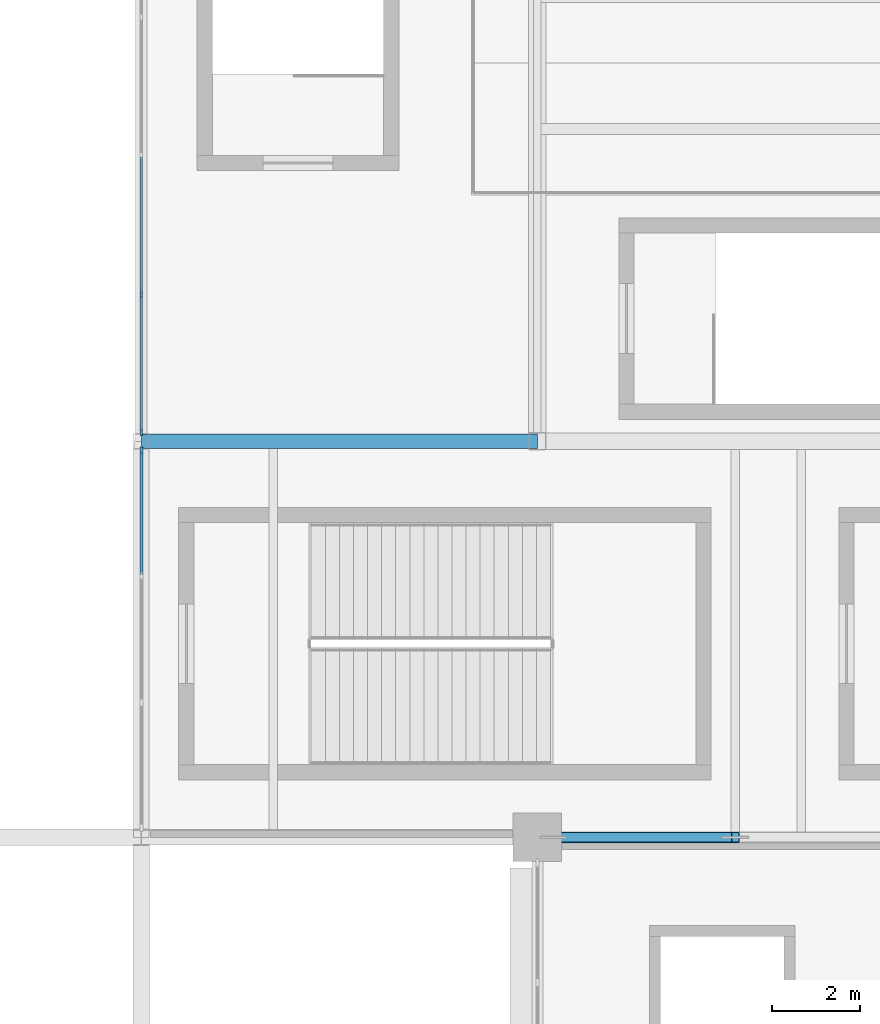
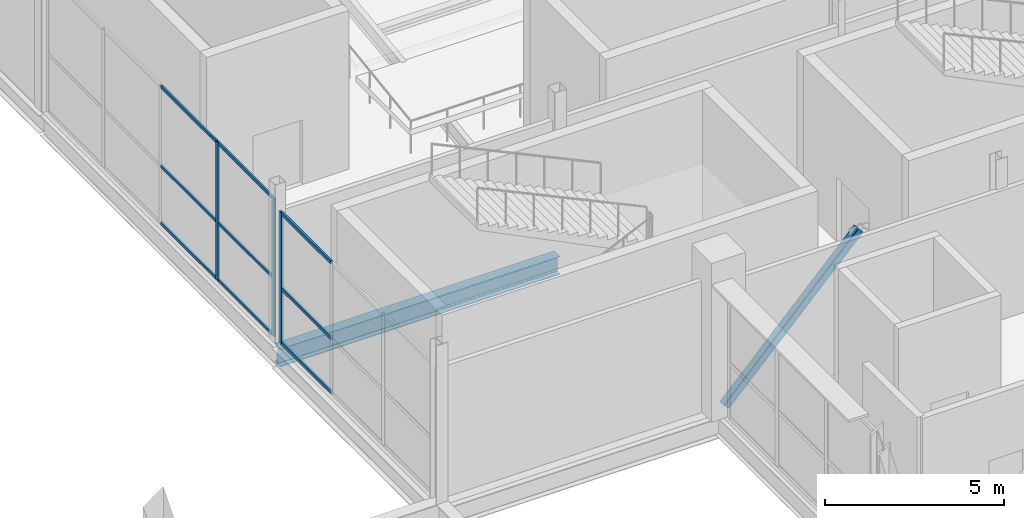
# One storey, part 56 of 119: 13 members, 1 beam, 2 elements without a shape of their own.
"""IFC4 building model written with IfcOpenShell, lengths in metres."""

from ifc_helpers import new_model, si_unit, direction, frame, origin, origin_2d, place, context, subcontext, project, spatial, rectangle, hollow_rectangle, i_section, extrude, material, layer, layer_set, material_profile, profile_set, type_object, element, aggregate, save


model = new_model("IFC4")

# Units and contexts
model_context = context("Model", 3, precision=1e-05, world=origin(), true_north=direction((0.0, 1.0)))
body_context = subcontext(model_context, "Body", "Model", "MODEL_VIEW")
ifc_project = project(units=[si_unit("LENGTHUNIT", "METRE"), si_unit("AREAUNIT", "SQUARE_METRE"), si_unit("VOLUMEUNIT", "CUBIC_METRE"), si_unit("PLANEANGLEUNIT", "RADIAN"), si_unit("MASSUNIT", "GRAM", prefix="KILO")], contexts=[model_context])

# Site, building, storey
site_placement = place(None, origin())
site = spatial("IfcSite", under=ifc_project, at=site_placement, CompositionType="ELEMENT")
building_placement = place(site_placement, origin())
building = spatial("IfcBuilding", under=site, at=building_placement, Name="Qamarlyn Nura Convention Centre", CompositionType="ELEMENT")
storey_placement = place(building_placement, frame((0.0, 0.0, 5.39990234375)))
storey = spatial("IfcBuildingStorey", under=building, at=storey_placement, Name="L01", CompositionType="ELEMENT", Elevation=5.39990234375)

# Beam
ifc_material_1 = material(Name="Steel ASTM A992", Category="steel")
ifc_material_profile_1 = material_profile(ifc_material_1, i_section(OverallWidth=0.323974609375, OverallDepth=0.611083984375, WebThickness=0.0126953125, FlangeThickness=0.01904296875, FilletRadius=0.01611328125, at=origin_2d()), Name="W610X155")
ifc_profile_set_1 = profile_set([ifc_material_profile_1], Name="Steel ASTM A992")
beam_type = type_object("IfcBeamType", Name="BM-GIRD-610", PredefinedType="BEAM", material=ifc_profile_set_1)
beam_placement = place(storey_placement, frame((144.0, 90.0, -0.54541015625), z_axis=(1.0, 0.0, 0.0), x_axis=(0.0, 1.0, 0.0)))
element("IfcBeam", 1, at=beam_placement, inside=storey, type_object=beam_type, Name="L01 girder L 12-13", PredefinedType="BEAM", context=body_context, shape_type="SweptSolid", body=[
    extrude(i_section(OverallWidth=0.323974609375, OverallDepth=0.611083984375, WebThickness=0.0126953125, FlangeThickness=0.01904296875, FilletRadius=0.01611328125, at=origin_2d()), origin(), (0.0, 0.0, 1.0), 9.0),
])

# Member
ifc_material_2 = material(Name="Steel ASTM A500 Grade C", Category="steel")
ifc_material_profile_2 = material_profile(ifc_material_2, hollow_rectangle(XDim=0.25, YDim=0.25, WallThickness=0.012451171875, InnerFilletRadius=0.012451171875, OuterFilletRadius=0.02490234375, at=origin_2d()), Name="HSS250X250X12.5")
ifc_profile_set_2 = profile_set([ifc_material_profile_2], Name="Steel ASTM A500 Grade C")
member_type_1 = type_object("IfcMemberType", Name="CBF-BRC-250", PredefinedType="BRACE", material=ifc_profile_set_2)
member_1_placement = place(storey_placement, frame((153.179931640625, 81.0, 0.0), z_axis=(0.692850446398, 0.0, 0.721081312284), x_axis=(0.0, 1.0, 0.0)))
element("IfcMember", 2, at=member_1_placement, inside=storey, type_object=member_type_1, Name="L01 SCBF chevron brace CBF-N1L", PredefinedType="BRACE", context=body_context, shape_type="SweptSolid", body=[
    extrude(hollow_rectangle(XDim=0.25, YDim=0.25, WallThickness=0.012451171875, InnerFilletRadius=0.012451171875, OuterFilletRadius=0.02490234375, at=origin_2d()), origin(), (0.0, 0.0, 1.0), 6.235107421875),
])

# Curtain wall, members
ifc_material_3 = material(Name="Double-silver low-E insulated glass", Category="glass")
ifc_layer_1 = layer(ifc_material_3, 0.179931640625, Name="CW-UNIT-84")
ifc_layer_set_1 = layer_set([ifc_layer_1], Name="Double-silver low-E insulated glass")
curtain_wall_type_1 = type_object("IfcCurtainWallType", Name="CW-UNIT-84", PredefinedType="NOTDEFINED", material=ifc_layer_set_1)
curtain_wall_1_placement = place(storey_placement, origin())
curtain_wall_1 = element("IfcCurtainWall", 3, at=curtain_wall_1_placement, inside=storey, type_object=curtain_wall_type_1, Name="L01 unitised curtain wall PLW-90-1", PredefinedType="NOTDEFINED")
ifc_material_4 = material(Name="Champagne-anodised marine aluminium", Category="aluminium")
ifc_material_profile_3 = material_profile(ifc_material_4, rectangle(XDim=0.06005859375, YDim=0.139892578125, at=origin_2d()), Name="ALU MULLION 60x140")
ifc_profile_set_3 = profile_set([ifc_material_profile_3], Name="Champagne-anodised marine aluminium")
member_type_2 = type_object("IfcMemberType", Name="CWM-140", PredefinedType="MULLION", material=ifc_profile_set_3)
member_2_placement = place(storey_placement, frame((144.0, 90.205078125, 0.0), z_axis=(0.0, 0.0, 1.0), x_axis=(-1.0, 0.0, 0.0)))
member_2 = element("IfcMember", 4, at=member_2_placement, type_object=member_type_2, Name="CW84 mullion 1", PredefinedType="MULLION", context=body_context, shape_type="SweptSolid", body=[
    extrude(rectangle(XDim=0.06005859375, YDim=0.139892578125, at=origin_2d()), origin(), (0.0, 0.0, 1.0), 4.701171875),
])
member_3_placement = place(storey_placement, frame((144.0, 93.331298828125, 0.0), z_axis=(0.0, 0.0, 1.0), x_axis=(-1.0, 0.0, 0.0)))
member_3 = element("IfcMember", 5, at=member_3_placement, type_object=member_type_2, Name="CW84 mullion 2", PredefinedType="MULLION", context=body_context, shape_type="SweptSolid", body=[
    extrude(rectangle(XDim=0.06005859375, YDim=0.139892578125, at=origin_2d()), origin(), (0.0, 0.0, 1.0), 4.701171875),
])

# Curtain wall, member
ifc_layer_2 = layer(ifc_material_3, 0.179931640625, Name="CW-UNIT-83")
ifc_layer_set_2 = layer_set([ifc_layer_2], Name="Double-silver low-E insulated glass")
curtain_wall_type_2 = type_object("IfcCurtainWallType", Name="CW-UNIT-83", PredefinedType="NOTDEFINED", material=ifc_layer_set_2)
curtain_wall_2_placement = place(storey_placement, origin())
curtain_wall_2 = element("IfcCurtainWall", 6, at=curtain_wall_2_placement, inside=storey, type_object=curtain_wall_type_2, Name="L01 unitised curtain wall PLW-81-1", PredefinedType="NOTDEFINED")
ifc_material_profile_4 = material_profile(ifc_material_4, rectangle(XDim=0.06494140625, YDim=0.159912109375, at=origin_2d()), Name="ALU MULLION 65x160")
ifc_profile_set_4 = profile_set([ifc_material_profile_4], Name="Champagne-anodised marine aluminium")
member_type_3 = type_object("IfcMemberType", Name="CWM-160", PredefinedType="MULLION", material=ifc_profile_set_4)
member_4_placement = place(storey_placement, frame((144.0, 89.79248046875, 0.0), z_axis=(0.0, 0.0, 1.0), x_axis=(-1.0, 0.0, 0.0)))
member_4 = element("IfcMember", 7, at=member_4_placement, type_object=member_type_3, Name="CW83 mullion 4", PredefinedType="MULLION", context=body_context, shape_type="SweptSolid", body=[
    extrude(rectangle(XDim=0.06494140625, YDim=0.159912109375, at=origin_2d()), origin(), (0.0, 0.0, 1.0), 4.47021484375),
])

# Member
ifc_material_profile_5 = material_profile(ifc_material_4, rectangle(XDim=0.06005859375, YDim=0.10009765625, at=origin_2d()), Name="ALU TRANSOM 60x100")
ifc_profile_set_5 = profile_set([ifc_material_profile_5], Name="Champagne-anodised marine aluminium")
member_type_4 = type_object("IfcMemberType", Name="CWT-100", PredefinedType="USERDEFINED", material=ifc_profile_set_5)
member_5_placement = place(storey_placement, frame((144.0, 90.235107421875, 0.030029296875), z_axis=(0.0, 1.0, 0.0), x_axis=(-1.0, 0.0, 0.0)))
member_5 = element("IfcMember", 8, at=member_5_placement, type_object=member_type_4, Name="CW84 transom 1.1", ObjectType="TRANSOM", PredefinedType="USERDEFINED", context=body_context, shape_type="SweptSolid", body=[
    extrude(rectangle(XDim=0.06005859375, YDim=0.10009765625, at=origin_2d()), origin(), (0.0, 0.0, 1.0), 3.066162109375),
])

member_6_placement = place(storey_placement, frame((144.0, 90.235107421875, 1.97412109375), z_axis=(0.0, 1.0, 0.0), x_axis=(-1.0, 0.0, 0.0)))
member_6 = element("IfcMember", 9, at=member_6_placement, type_object=member_type_4, Name="CW84 transom 1.2", ObjectType="TRANSOM", PredefinedType="USERDEFINED", context=body_context, shape_type="SweptSolid", body=[
    extrude(rectangle(XDim=0.06005859375, YDim=0.10009765625, at=origin_2d()), origin(), (0.0, 0.0, 1.0), 3.066162109375),
])

member_7_placement = place(storey_placement, frame((144.0, 90.235107421875, 4.671142578125), z_axis=(0.0, 1.0, 0.0), x_axis=(-1.0, 0.0, 0.0)))
member_7 = element("IfcMember", 10, at=member_7_placement, type_object=member_type_4, Name="CW84 transom 1.3", ObjectType="TRANSOM", PredefinedType="USERDEFINED", context=body_context, shape_type="SweptSolid", body=[
    extrude(rectangle(XDim=0.06005859375, YDim=0.10009765625, at=origin_2d()), origin(), (0.0, 0.0, 1.0), 3.066162109375),
])

member_8_placement = place(storey_placement, frame((144.0, 93.361328125, 0.030029296875), z_axis=(0.0, 1.0, 0.0), x_axis=(-1.0, 0.0, 0.0)))
member_8 = element("IfcMember", 11, at=member_8_placement, type_object=member_type_4, Name="CW84 transom 2.1", ObjectType="TRANSOM", PredefinedType="USERDEFINED", context=body_context, shape_type="SweptSolid", body=[
    extrude(rectangle(XDim=0.06005859375, YDim=0.10009765625, at=origin_2d()), origin(), (0.0, 0.0, 1.0), 3.09619140625),
])

member_9_placement = place(storey_placement, frame((144.0, 93.361328125, 1.97412109375), z_axis=(0.0, 1.0, 0.0), x_axis=(-1.0, 0.0, 0.0)))
member_9 = element("IfcMember", 12, at=member_9_placement, type_object=member_type_4, Name="CW84 transom 2.2", ObjectType="TRANSOM", PredefinedType="USERDEFINED", context=body_context, shape_type="SweptSolid", body=[
    extrude(rectangle(XDim=0.06005859375, YDim=0.10009765625, at=origin_2d()), origin(), (0.0, 0.0, 1.0), 3.09619140625),
])

member_10_placement = place(storey_placement, frame((144.0, 93.361328125, 4.671142578125), z_axis=(0.0, 1.0, 0.0), x_axis=(-1.0, 0.0, 0.0)))
member_10 = element("IfcMember", 13, at=member_10_placement, type_object=member_type_4, Name="CW84 transom 2.3", ObjectType="TRANSOM", PredefinedType="USERDEFINED", context=body_context, shape_type="SweptSolid", body=[
    extrude(rectangle(XDim=0.06005859375, YDim=0.10009765625, at=origin_2d()), origin(), (0.0, 0.0, 1.0), 3.09619140625),
])

aggregate(curtain_wall_1, [member_2, member_3, member_5, member_6, member_7, member_8, member_9, member_10])

ifc_material_profile_6 = material_profile(ifc_material_4, rectangle(XDim=0.06494140625, YDim=0.1201171875, at=origin_2d()), Name="ALU TRANSOM 65x120")
ifc_profile_set_6 = profile_set([ifc_material_profile_6], Name="Champagne-anodised marine aluminium")
member_type_5 = type_object("IfcMemberType", Name="CWT-120", PredefinedType="USERDEFINED", material=ifc_profile_set_6)
member_11_placement = place(storey_placement, frame((144.0, 86.977783203125, 0.03271484375), z_axis=(0.0, 1.0, 0.0), x_axis=(-1.0, 0.0, 0.0)))
member_11 = element("IfcMember", 14, at=member_11_placement, type_object=member_type_5, Name="CW83 transom 3.1", ObjectType="TRANSOM", PredefinedType="USERDEFINED", context=body_context, shape_type="SweptSolid", body=[
    extrude(rectangle(XDim=0.06494140625, YDim=0.1201171875, at=origin_2d()), origin(), (0.0, 0.0, 1.0), 2.7822265625),
])

member_12_placement = place(storey_placement, frame((144.0, 86.977783203125, 1.877197265625), z_axis=(0.0, 1.0, 0.0), x_axis=(-1.0, 0.0, 0.0)))
member_12 = element("IfcMember", 15, at=member_12_placement, type_object=member_type_5, Name="CW83 transom 3.2", ObjectType="TRANSOM", PredefinedType="USERDEFINED", context=body_context, shape_type="SweptSolid", body=[
    extrude(rectangle(XDim=0.06494140625, YDim=0.1201171875, at=origin_2d()), origin(), (0.0, 0.0, 1.0), 2.7822265625),
])

member_13_placement = place(storey_placement, frame((144.0, 86.977783203125, 4.4375), z_axis=(0.0, 1.0, 0.0), x_axis=(-1.0, 0.0, 0.0)))
member_13 = element("IfcMember", 16, at=member_13_placement, type_object=member_type_5, Name="CW83 transom 3.3", ObjectType="TRANSOM", PredefinedType="USERDEFINED", context=body_context, shape_type="SweptSolid", body=[
    extrude(rectangle(XDim=0.06494140625, YDim=0.1201171875, at=origin_2d()), origin(), (0.0, 0.0, 1.0), 2.7822265625),
])

aggregate(curtain_wall_2, [member_4, member_11, member_12, member_13])

save(model, "model.ifc")
